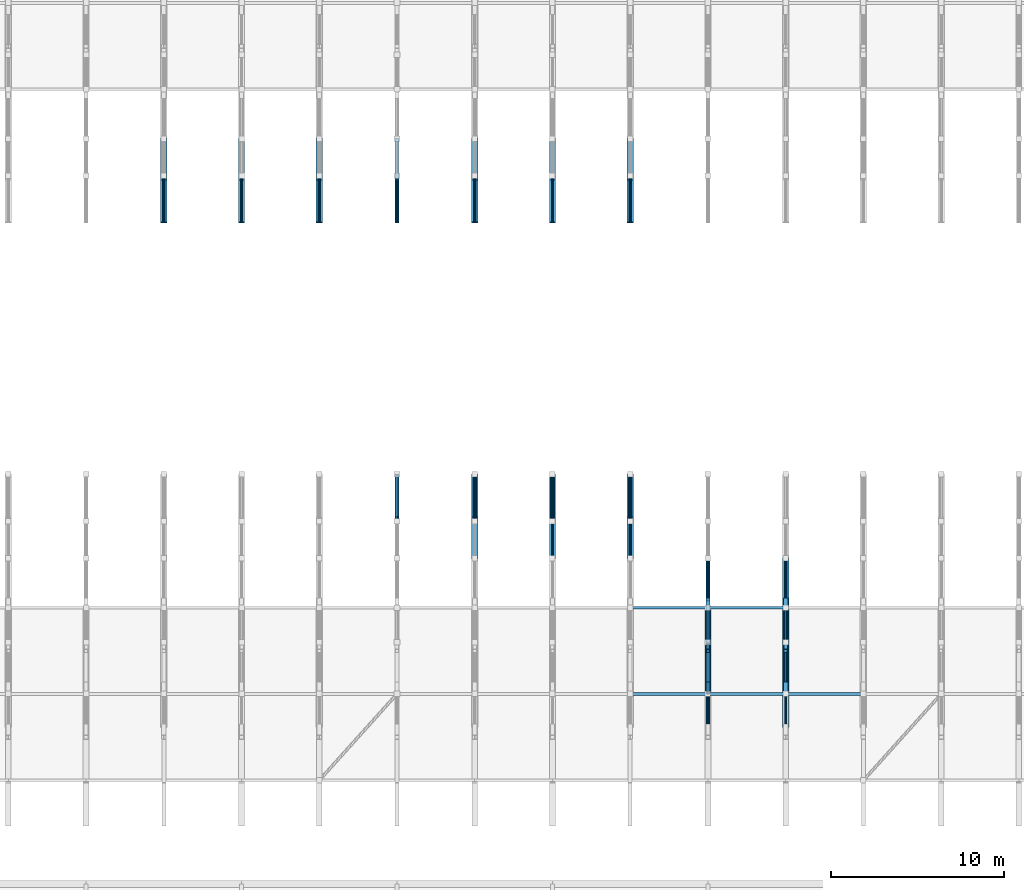
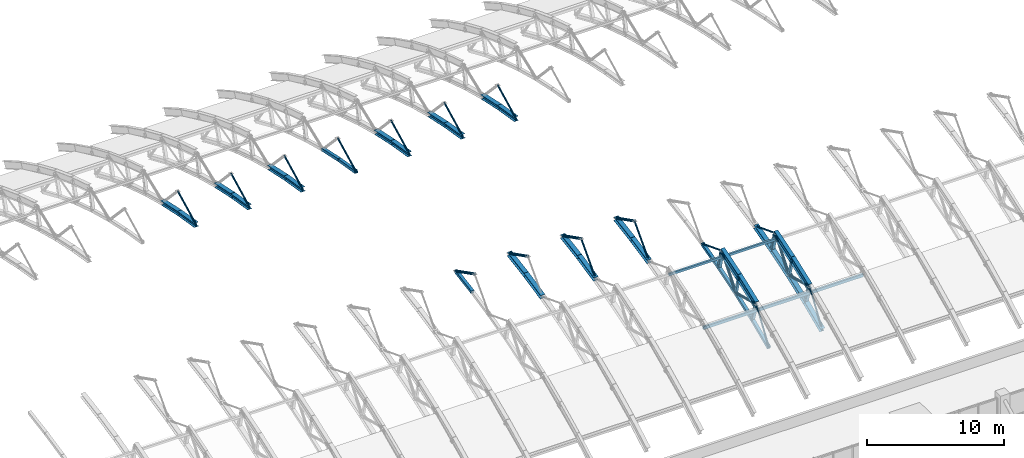
# One storey, part 41 of 103: 61 members, 4 beams.
"""IFC4 building model written with IfcOpenShell, lengths in metres."""

from ifc_helpers import new_model, si_unit, direction, frame, origin, origin_2d, place, context, subcontext, project, spatial, hollow_rectangle, hollow_circle, i_section, extrude, material, material_profile, profile_set, type_object, element, save


model = new_model("IFC4")

# Units and contexts
model_context = context("Model", 3, precision=1e-05, world=origin(), true_north=direction((0.0, 1.0)))
body_context = subcontext(model_context, "Body", "Model", "MODEL_VIEW")
ifc_project = project(units=[si_unit("LENGTHUNIT", "METRE"), si_unit("AREAUNIT", "SQUARE_METRE"), si_unit("VOLUMEUNIT", "CUBIC_METRE"), si_unit("PLANEANGLEUNIT", "RADIAN"), si_unit("MASSUNIT", "GRAM", prefix="KILO")], contexts=[model_context])

# Site, building, storey
site_placement = place(None, origin())
site = spatial("IfcSite", under=ifc_project, at=site_placement, CompositionType="ELEMENT")
building_placement = place(site_placement, origin())
building = spatial("IfcBuilding", under=site, at=building_placement, Name="Cazmaro Siding Exhibition Halls", CompositionType="ELEMENT")
storey_placement = place(building_placement, frame((0.0, 0.0, 16.5)))
storey = spatial("IfcBuildingStorey", under=building, at=storey_placement, Name="L03", CompositionType="ELEMENT", Elevation=16.5)

# Beams
ifc_material_1 = material(Name="Steel ASTM A992 Grade 50", Category="steel")
ifc_material_profile_1 = material_profile(ifc_material_1, i_section(OverallWidth=0.327880859375, OverallDepth=0.626953125, WebThickness=0.01708984375, FlangeThickness=0.028076171875, at=origin_2d()), Name="W24X146")
ifc_profile_set_1 = profile_set([ifc_material_profile_1], Name="Steel ASTM A992 Grade 50")
beam_type_1 = type_object("IfcBeamType", Name="AR-01", PredefinedType="USERDEFINED", material=ifc_profile_set_1)
beam_1_placement = place(storey_placement, frame((99.0, 74.0, 3.1220703125), z_axis=(0.0, 0.936509460339, 0.350642311615), x_axis=(-1.0, 0.0, 0.0)))
element("IfcBeam", 1, at=beam_1_placement, inside=storey, type_object=beam_type_1, Name="Space frame barrel vault arched rib AR-01 BM-0827", ObjectType="ARCHED RIB", PredefinedType="USERDEFINED", context=body_context, shape_type="SweptSolid", body=[
    extrude(i_section(OverallWidth=0.327880859375, OverallDepth=0.626953125, WebThickness=0.01708984375, FlangeThickness=0.028076171875, at=origin_2d()), origin(), (0.0, 0.0, 1.0), 2.66943359375),
])
beam_2_placement = place(storey_placement, frame((99.0, 76.5, 4.05810546875), z_axis=(0.0, 0.952769241759, 0.303695195811), x_axis=(-1.0, 0.0, 0.0)))
element("IfcBeam", 2, at=beam_2_placement, inside=storey, type_object=beam_type_1, Name="Space frame barrel vault arched rib AR-01 BM-0828", ObjectType="ARCHED RIB", PredefinedType="USERDEFINED", context=body_context, shape_type="SweptSolid", body=[
    extrude(i_section(OverallWidth=0.327880859375, OverallDepth=0.626953125, WebThickness=0.01708984375, FlangeThickness=0.028076171875, at=origin_2d()), origin(), (0.0, 0.0, 1.0), 2.6240234375),
])
ifc_material_2 = material(Name="Steel ASTM A992 Grade 50", Category="steel")
ifc_material_profile_2 = material_profile(ifc_material_2, i_section(OverallWidth=0.324951171875, OverallDepth=0.612060546875, WebThickness=0.012939453125, FlangeThickness=0.01904296875, at=origin_2d()), Name="W24X104")
ifc_profile_set_2 = profile_set([ifc_material_profile_2], Name="Steel ASTM A992 Grade 50")
beam_type_2 = type_object("IfcBeamType", Name="AR-02", PredefinedType="USERDEFINED", material=ifc_profile_set_2)
beam_3_placement = place(storey_placement, frame((103.5, 74.0, 3.1220703125), z_axis=(0.0, 0.936509460339, 0.350642311615), x_axis=(-1.0, 0.0, 0.0)))
element("IfcBeam", 3, at=beam_3_placement, inside=storey, type_object=beam_type_2, Name="Space frame barrel vault arched rib AR-02 BM-0851", ObjectType="ARCHED RIB", PredefinedType="USERDEFINED", context=body_context, shape_type="SweptSolid", body=[
    extrude(i_section(OverallWidth=0.324951171875, OverallDepth=0.612060546875, WebThickness=0.012939453125, FlangeThickness=0.01904296875, at=origin_2d()), origin(), (0.0, 0.0, 1.0), 2.66943359375),
])
beam_4_placement = place(storey_placement, frame((103.5, 76.5, 4.05810546875), z_axis=(0.0, 0.952769241759, 0.303695195811), x_axis=(-1.0, 0.0, 0.0)))
element("IfcBeam", 4, at=beam_4_placement, inside=storey, type_object=beam_type_2, Name="Space frame barrel vault arched rib AR-02 BM-0852", ObjectType="ARCHED RIB", PredefinedType="USERDEFINED", context=body_context, shape_type="SweptSolid", body=[
    extrude(i_section(OverallWidth=0.324951171875, OverallDepth=0.612060546875, WebThickness=0.012939453125, FlangeThickness=0.01904296875, at=origin_2d()), origin(), (0.0, 0.0, 1.0), 2.6240234375),
])

# Members
ifc_material_3 = material(Name="Steel ASTM A500 Grade C", Category="steel")
ifc_material_profile_3 = material_profile(ifc_material_3, hollow_rectangle(XDim=0.152099609375, YDim=0.202880859375, WallThickness=0.011962890625, at=origin_2d()), Name="HSS8X6X1/2")
ifc_profile_set_3 = profile_set([ifc_material_profile_3], Name="Steel ASTM A500 Grade C")
member_type_1 = type_object("IfcMemberType", Name="RP-01", PredefinedType="PURLIN", material=ifc_profile_set_3)
for number, where, z_axis, x_axis, name in (
    (5, (94.5, 79.0, 4.31494140625), (1.0, 0.0, 0.0), (0.0, 1.0, 0.0), "Space frame barrel vault purlin RP-01 MEM-2099"),
    (6, (99.0, 79.0, 4.31494140625), (1.0, 0.0, 0.0), (0.0, 1.0, 0.0), "Space frame barrel vault purlin RP-01 MEM-2110"),
):
    element("IfcMember", number, at=place(storey_placement, frame(where, z_axis=z_axis, x_axis=x_axis)), inside=storey, type_object=member_type_1, Name=name, PredefinedType="PURLIN", context=body_context, shape_type="SweptSolid", body=[
        extrude(hollow_rectangle(XDim=0.152099609375, YDim=0.202880859375, WallThickness=0.011962890625, at=origin_2d()), origin(), (0.0, 0.0, 1.0), 4.5),
    ])
ifc_material_4 = material(Name="Steel ASTM A500 Grade C", Category="steel")
ifc_material_profile_4 = material_profile(ifc_material_4, hollow_rectangle(XDim=0.152099609375, YDim=0.25390625, WallThickness=0.011962890625, at=origin_2d()), Name="HSS10X6X1/2")
ifc_profile_set_4 = profile_set([ifc_material_profile_4], Name="Steel ASTM A500 Grade C")
member_type_2 = type_object("IfcMemberType", Name="RP-04", PredefinedType="PURLIN", material=ifc_profile_set_4)
for number, where, z_axis, x_axis, name in (
    (7, (94.5, 74.0, 2.58203125), (1.0, 0.0, 0.0), (0.0, 1.0, 0.0), "Space frame barrel vault purlin RP-04 MEM-2098"),
    (8, (99.0, 74.0, 2.58203125), (1.0, 0.0, 0.0), (0.0, 1.0, 0.0), "Space frame barrel vault purlin RP-04 MEM-2109"),
    (9, (103.5, 74.0, 2.58203125), (1.0, 0.0, 0.0), (0.0, 1.0, 0.0), "Space frame barrel vault purlin RP-04 MEM-2120"),
):
    element("IfcMember", number, at=place(storey_placement, frame(where, z_axis=z_axis, x_axis=x_axis)), inside=storey, type_object=member_type_2, Name=name, PredefinedType="PURLIN", context=body_context, shape_type="SweptSolid", body=[
        extrude(hollow_rectangle(XDim=0.152099609375, YDim=0.25390625, WallThickness=0.011962890625, at=origin_2d()), origin(), (0.0, 0.0, 1.0), 4.5),
    ])
ifc_material_5 = material(Name="Steel ASTM A500 Grade C", Category="steel")
ifc_material_profile_5 = material_profile(ifc_material_5, hollow_rectangle(XDim=0.25390625, YDim=0.25390625, WallThickness=0.014892578125, at=origin_2d()), Name="HSS10X10X5/8")
ifc_profile_set_5 = profile_set([ifc_material_profile_5], Name="Steel ASTM A500 Grade C")
member_type_3 = type_object("IfcMemberType", Name="TC-01", PredefinedType="CHORD", material=ifc_profile_set_5)
for number, where, z_axis, x_axis, name in (
    (10, (81.0, 84.280029296875, 4.282958984375), (0.0, 0.986455464336, 0.164029317138), (-1.0, 0.0, 0.0), "Space frame barrel vault bottom chord TC-01 MEM-0537"),
    (11, (81.0, 101.2900390625, 4.68701171875), (0.0, 0.986455464336, -0.164029317138), (-1.0, 0.0, 0.0), "Space frame barrel vault bottom chord TC-01 MEM-0551"),
):
    element("IfcMember", number, at=place(storey_placement, frame(where, z_axis=z_axis, x_axis=x_axis)), inside=storey, type_object=member_type_3, Name=name, PredefinedType="CHORD", context=body_context, shape_type="SweptSolid", body=[
        extrude(hollow_rectangle(XDim=0.25390625, YDim=0.25390625, WallThickness=0.014892578125, at=origin_2d()), origin(), (0.0, 0.0, 1.0), 2.46337890625),
    ])
member_1_placement = place(storey_placement, frame((81.0, 103.719970703125, 4.282958984375), z_axis=(0.0, 0.977697351532, -0.210018782033), x_axis=(-1.0, 0.0, 0.0)))
element("IfcMember", 12, at=member_1_placement, inside=storey, type_object=member_type_3, Name="Space frame barrel vault bottom chord TC-01 MEM-0553", PredefinedType="CHORD", context=body_context, shape_type="SweptSolid", body=[
    extrude(hollow_rectangle(XDim=0.25390625, YDim=0.25390625, WallThickness=0.014892578125, at=origin_2d()), origin(), (0.0, 0.0, 1.0), 2.4853515625),
])
member_2_placement = place(storey_placement, frame((99.0, 72.131103515625, 0.37890625), z_axis=(0.0, 0.917689003843, 0.397299499403), x_axis=(-1.0, 0.0, 0.0)))
element("IfcMember", 13, at=member_2_placement, inside=storey, type_object=member_type_3, Name="Space frame barrel vault bottom chord TC-01 MEM-0811", PredefinedType="CHORD", context=body_context, shape_type="SweptSolid", body=[
    extrude(hollow_rectangle(XDim=0.25390625, YDim=0.25390625, WallThickness=0.014892578125, at=origin_2d()), origin(), (0.0, 0.0, 1.0), 2.64794921875),
])
member_3_placement = place(storey_placement, frame((99.0, 74.56103515625, 1.430908203125), z_axis=(0.0, 0.936588022869, 0.350432412053), x_axis=(-1.0, 0.0, 0.0)))
element("IfcMember", 14, at=member_3_placement, inside=storey, type_object=member_type_3, Name="Space frame barrel vault bottom chord TC-01 MEM-0813", PredefinedType="CHORD", context=body_context, shape_type="SweptSolid", body=[
    extrude(hollow_rectangle(XDim=0.25390625, YDim=0.25390625, WallThickness=0.014892578125, at=origin_2d()), origin(), (0.0, 0.0, 1.0), 2.594482421875),
])
member_4_placement = place(storey_placement, frame((99.0, 76.990966796875, 2.340087890625), z_axis=(0.0, 0.952692842525, 0.303934775573), x_axis=(-1.0, 0.0, 0.0)))
element("IfcMember", 15, at=member_4_placement, inside=storey, type_object=member_type_3, Name="Space frame barrel vault bottom chord TC-01 MEM-0815", PredefinedType="CHORD", context=body_context, shape_type="SweptSolid", body=[
    extrude(hollow_rectangle(XDim=0.25390625, YDim=0.25390625, WallThickness=0.014892578125, at=origin_2d()), origin(), (0.0, 0.0, 1.0), 2.549560546875),
])
member_5_placement = place(storey_placement, frame((99.0, 79.419921875, 3.114990234375), z_axis=(0.0, 0.966437683387, 0.256901156343), x_axis=(-1.0, 0.0, 0.0)))
element("IfcMember", 16, at=member_5_placement, inside=storey, type_object=member_type_3, Name="Space frame barrel vault bottom chord TC-01 MEM-0817", PredefinedType="CHORD", context=body_context, shape_type="SweptSolid", body=[
    extrude(hollow_rectangle(XDim=0.25390625, YDim=0.25390625, WallThickness=0.014892578125, at=origin_2d()), origin(), (0.0, 0.0, 1.0), 2.5146484375),
])
ifc_material_6 = material(Name="Steel ASTM A992 Grade 50", Category="steel")
ifc_material_profile_6 = material_profile(ifc_material_6, i_section(OverallWidth=0.37109375, OverallDepth=0.364013671875, WebThickness=0.012939453125, FlangeThickness=0.02197265625, at=origin_2d()), Name="W14X109")
ifc_profile_set_6 = profile_set([ifc_material_profile_6], Name="Steel ASTM A992 Grade 50")
member_type_4 = type_object("IfcMemberType", Name="TC-06", PredefinedType="CHORD", material=ifc_profile_set_6)
member_6_placement = place(storey_placement, frame((67.5, 101.2900390625, 4.68701171875), z_axis=(0.0, 0.986455464336, -0.164029317138), x_axis=(-1.0, 0.0, 0.0)))
element("IfcMember", 17, at=member_6_placement, inside=storey, type_object=member_type_4, Name="Space frame barrel vault bottom chord TC-06 MEM-0338", PredefinedType="CHORD", context=body_context, shape_type="SweptSolid", body=[
    extrude(i_section(OverallWidth=0.37109375, OverallDepth=0.364013671875, WebThickness=0.012939453125, FlangeThickness=0.02197265625, at=origin_2d()), origin(), (0.0, 0.0, 1.0), 2.46337890625),
])
member_7_placement = place(storey_placement, frame((67.5, 103.719970703125, 4.282958984375), z_axis=(0.0, 0.977697351532, -0.210018782033), x_axis=(-1.0, 0.0, 0.0)))
element("IfcMember", 18, at=member_7_placement, inside=storey, type_object=member_type_4, Name="Space frame barrel vault bottom chord TC-06 MEM-0340", PredefinedType="CHORD", context=body_context, shape_type="SweptSolid", body=[
    extrude(i_section(OverallWidth=0.37109375, OverallDepth=0.364013671875, WebThickness=0.012939453125, FlangeThickness=0.02197265625, at=origin_2d()), origin(), (0.0, 0.0, 1.0), 2.4853515625),
])
member_8_placement = place(storey_placement, frame((72.0, 101.2900390625, 4.68701171875), z_axis=(0.0, 0.986455464336, -0.164029317138), x_axis=(-1.0, 0.0, 0.0)))
element("IfcMember", 19, at=member_8_placement, inside=storey, type_object=member_type_4, Name="Space frame barrel vault bottom chord TC-06 MEM-0409", PredefinedType="CHORD", context=body_context, shape_type="SweptSolid", body=[
    extrude(i_section(OverallWidth=0.37109375, OverallDepth=0.364013671875, WebThickness=0.012939453125, FlangeThickness=0.02197265625, at=origin_2d()), origin(), (0.0, 0.0, 1.0), 2.46337890625),
])
member_9_placement = place(storey_placement, frame((72.0, 103.719970703125, 4.282958984375), z_axis=(0.0, 0.977697351532, -0.210018782033), x_axis=(-1.0, 0.0, 0.0)))
element("IfcMember", 20, at=member_9_placement, inside=storey, type_object=member_type_4, Name="Space frame barrel vault bottom chord TC-06 MEM-0411", PredefinedType="CHORD", context=body_context, shape_type="SweptSolid", body=[
    extrude(i_section(OverallWidth=0.37109375, OverallDepth=0.364013671875, WebThickness=0.012939453125, FlangeThickness=0.02197265625, at=origin_2d()), origin(), (0.0, 0.0, 1.0), 2.4853515625),
])
member_10_placement = place(storey_placement, frame((76.5, 101.2900390625, 4.68701171875), z_axis=(0.0, 0.986455464336, -0.164029317138), x_axis=(-1.0, 0.0, 0.0)))
element("IfcMember", 21, at=member_10_placement, inside=storey, type_object=member_type_4, Name="Space frame barrel vault bottom chord TC-06 MEM-0480", PredefinedType="CHORD", context=body_context, shape_type="SweptSolid", body=[
    extrude(i_section(OverallWidth=0.37109375, OverallDepth=0.364013671875, WebThickness=0.012939453125, FlangeThickness=0.02197265625, at=origin_2d()), origin(), (0.0, 0.0, 1.0), 2.46337890625),
])
for number, where, z_axis, x_axis, name in (
    (22, (76.5, 103.719970703125, 4.282958984375), (0.0, 0.977697351532, -0.210018782033), (-1.0, 0.0, 0.0), "Space frame barrel vault bottom chord TC-06 MEM-0482"),
    (23, (85.5, 81.85009765625, 3.760986328125), (0.0, 0.977697351532, 0.210018782033), (-1.0, 0.0, 0.0), "Space frame barrel vault bottom chord TC-06 MEM-0606"),
):
    element("IfcMember", number, at=place(storey_placement, frame(where, z_axis=z_axis, x_axis=x_axis)), inside=storey, type_object=member_type_4, Name=name, PredefinedType="CHORD", context=body_context, shape_type="SweptSolid", body=[
        extrude(i_section(OverallWidth=0.37109375, OverallDepth=0.364013671875, WebThickness=0.012939453125, FlangeThickness=0.02197265625, at=origin_2d()), origin(), (0.0, 0.0, 1.0), 2.4853515625),
    ])
for number, where, z_axis, x_axis, name in (
    (24, (85.5, 84.280029296875, 4.282958984375), (0.0, 0.986455464336, 0.164029317138), (-1.0, 0.0, 0.0), "Space frame barrel vault bottom chord TC-06 MEM-0608"),
    (25, (85.5, 101.2900390625, 4.68701171875), (0.0, 0.986455464336, -0.164029317138), (-1.0, 0.0, 0.0), "Space frame barrel vault bottom chord TC-06 MEM-0622"),
):
    element("IfcMember", number, at=place(storey_placement, frame(where, z_axis=z_axis, x_axis=x_axis)), inside=storey, type_object=member_type_4, Name=name, PredefinedType="CHORD", context=body_context, shape_type="SweptSolid", body=[
        extrude(i_section(OverallWidth=0.37109375, OverallDepth=0.364013671875, WebThickness=0.012939453125, FlangeThickness=0.02197265625, at=origin_2d()), origin(), (0.0, 0.0, 1.0), 2.46337890625),
    ])
for number, where, z_axis, x_axis, name in (
    (26, (85.5, 103.719970703125, 4.282958984375), (0.0, 0.977697351532, -0.210018782033), (-1.0, 0.0, 0.0), "Space frame barrel vault bottom chord TC-06 MEM-0624"),
    (27, (90.0, 81.85009765625, 3.760986328125), (0.0, 0.977697351532, 0.210018782033), (-1.0, 0.0, 0.0), "Space frame barrel vault bottom chord TC-06 MEM-0677"),
):
    element("IfcMember", number, at=place(storey_placement, frame(where, z_axis=z_axis, x_axis=x_axis)), inside=storey, type_object=member_type_4, Name=name, PredefinedType="CHORD", context=body_context, shape_type="SweptSolid", body=[
        extrude(i_section(OverallWidth=0.37109375, OverallDepth=0.364013671875, WebThickness=0.012939453125, FlangeThickness=0.02197265625, at=origin_2d()), origin(), (0.0, 0.0, 1.0), 2.4853515625),
    ])
for number, where, z_axis, x_axis, name in (
    (28, (90.0, 84.280029296875, 4.282958984375), (0.0, 0.986455464336, 0.164029317138), (-1.0, 0.0, 0.0), "Space frame barrel vault bottom chord TC-06 MEM-0679"),
    (29, (90.0, 101.2900390625, 4.68701171875), (0.0, 0.986455464336, -0.164029317138), (-1.0, 0.0, 0.0), "Space frame barrel vault bottom chord TC-06 MEM-0693"),
):
    element("IfcMember", number, at=place(storey_placement, frame(where, z_axis=z_axis, x_axis=x_axis)), inside=storey, type_object=member_type_4, Name=name, PredefinedType="CHORD", context=body_context, shape_type="SweptSolid", body=[
        extrude(i_section(OverallWidth=0.37109375, OverallDepth=0.364013671875, WebThickness=0.012939453125, FlangeThickness=0.02197265625, at=origin_2d()), origin(), (0.0, 0.0, 1.0), 2.46337890625),
    ])
for number, where, z_axis, x_axis, name in (
    (30, (90.0, 103.719970703125, 4.282958984375), (0.0, 0.977697351532, -0.210018782033), (-1.0, 0.0, 0.0), "Space frame barrel vault bottom chord TC-06 MEM-0695"),
    (31, (94.5, 81.85009765625, 3.760986328125), (0.0, 0.977697351532, 0.210018782033), (-1.0, 0.0, 0.0), "Space frame barrel vault bottom chord TC-06 MEM-0748"),
):
    element("IfcMember", number, at=place(storey_placement, frame(where, z_axis=z_axis, x_axis=x_axis)), inside=storey, type_object=member_type_4, Name=name, PredefinedType="CHORD", context=body_context, shape_type="SweptSolid", body=[
        extrude(i_section(OverallWidth=0.37109375, OverallDepth=0.364013671875, WebThickness=0.012939453125, FlangeThickness=0.02197265625, at=origin_2d()), origin(), (0.0, 0.0, 1.0), 2.4853515625),
    ])
for number, where, z_axis, x_axis, name in (
    (32, (94.5, 84.280029296875, 4.282958984375), (0.0, 0.986455464336, 0.164029317138), (-1.0, 0.0, 0.0), "Space frame barrel vault bottom chord TC-06 MEM-0750"),
    (33, (94.5, 101.2900390625, 4.68701171875), (0.0, 0.986455464336, -0.164029317138), (-1.0, 0.0, 0.0), "Space frame barrel vault bottom chord TC-06 MEM-0764"),
):
    element("IfcMember", number, at=place(storey_placement, frame(where, z_axis=z_axis, x_axis=x_axis)), inside=storey, type_object=member_type_4, Name=name, PredefinedType="CHORD", context=body_context, shape_type="SweptSolid", body=[
        extrude(i_section(OverallWidth=0.37109375, OverallDepth=0.364013671875, WebThickness=0.012939453125, FlangeThickness=0.02197265625, at=origin_2d()), origin(), (0.0, 0.0, 1.0), 2.46337890625),
    ])
member_11_placement = place(storey_placement, frame((94.5, 103.719970703125, 4.282958984375), z_axis=(0.0, 0.977697351532, -0.210018782033), x_axis=(-1.0, 0.0, 0.0)))
element("IfcMember", 34, at=member_11_placement, inside=storey, type_object=member_type_4, Name="Space frame barrel vault bottom chord TC-06 MEM-0766", PredefinedType="CHORD", context=body_context, shape_type="SweptSolid", body=[
    extrude(i_section(OverallWidth=0.37109375, OverallDepth=0.364013671875, WebThickness=0.012939453125, FlangeThickness=0.02197265625, at=origin_2d()), origin(), (0.0, 0.0, 1.0), 2.4853515625),
])
member_12_placement = place(storey_placement, frame((103.5, 72.131103515625, 0.37890625), z_axis=(0.0, 0.917689003843, 0.397299499403), x_axis=(-1.0, 0.0, 0.0)))
element("IfcMember", 35, at=member_12_placement, inside=storey, type_object=member_type_4, Name="Space frame barrel vault bottom chord TC-06 MEM-0882", PredefinedType="CHORD", context=body_context, shape_type="SweptSolid", body=[
    extrude(i_section(OverallWidth=0.37109375, OverallDepth=0.364013671875, WebThickness=0.012939453125, FlangeThickness=0.02197265625, at=origin_2d()), origin(), (0.0, 0.0, 1.0), 2.64794921875),
])
member_13_placement = place(storey_placement, frame((103.5, 74.56103515625, 1.430908203125), z_axis=(0.0, 0.936588022869, 0.350432412053), x_axis=(-1.0, 0.0, 0.0)))
element("IfcMember", 36, at=member_13_placement, inside=storey, type_object=member_type_4, Name="Space frame barrel vault bottom chord TC-06 MEM-0884", PredefinedType="CHORD", context=body_context, shape_type="SweptSolid", body=[
    extrude(i_section(OverallWidth=0.37109375, OverallDepth=0.364013671875, WebThickness=0.012939453125, FlangeThickness=0.02197265625, at=origin_2d()), origin(), (0.0, 0.0, 1.0), 2.594482421875),
])
member_14_placement = place(storey_placement, frame((103.5, 76.990966796875, 2.340087890625), z_axis=(0.0, 0.952692842525, 0.303934775573), x_axis=(-1.0, 0.0, 0.0)))
element("IfcMember", 37, at=member_14_placement, inside=storey, type_object=member_type_4, Name="Space frame barrel vault bottom chord TC-06 MEM-0886", PredefinedType="CHORD", context=body_context, shape_type="SweptSolid", body=[
    extrude(i_section(OverallWidth=0.37109375, OverallDepth=0.364013671875, WebThickness=0.012939453125, FlangeThickness=0.02197265625, at=origin_2d()), origin(), (0.0, 0.0, 1.0), 2.549560546875),
])
member_15_placement = place(storey_placement, frame((103.5, 79.419921875, 3.114990234375), z_axis=(0.0, 0.966437683387, 0.256901156343), x_axis=(-1.0, 0.0, 0.0)))
element("IfcMember", 38, at=member_15_placement, inside=storey, type_object=member_type_4, Name="Space frame barrel vault bottom chord TC-06 MEM-0888", PredefinedType="CHORD", context=body_context, shape_type="SweptSolid", body=[
    extrude(i_section(OverallWidth=0.37109375, OverallDepth=0.364013671875, WebThickness=0.012939453125, FlangeThickness=0.02197265625, at=origin_2d()), origin(), (0.0, 0.0, 1.0), 2.5146484375),
])
ifc_material_7 = material(Name="Steel ASTM A500 Grade C", Category="steel")
ifc_material_profile_7 = material_profile(ifc_material_7, hollow_rectangle(XDim=0.202880859375, YDim=0.202880859375, WallThickness=0.011962890625, at=origin_2d()), Name="HSS8X8X1/2")
ifc_profile_set_7 = profile_set([ifc_material_profile_7], Name="Steel ASTM A500 Grade C")
member_type_5 = type_object("IfcMemberType", Name="TP-01", PredefinedType="POST", material=ifc_profile_set_7)
for number, where, z_axis, x_axis, name in (
    (39, (99.0, 76.990966796875, 2.340087890625), (0.0, -0.274775266308, 0.961508477875), (1.0, 0.0, 0.0), "Space frame barrel vault post TP-01 MEM-0857"),
    (40, (103.5, 76.990966796875, 2.340087890625), (0.0, -0.274775266308, 0.961508477875), (1.0, 0.0, 0.0), "Space frame barrel vault post TP-01 MEM-0928"),
):
    element("IfcMember", number, at=place(storey_placement, frame(where, z_axis=z_axis, x_axis=x_axis)), inside=storey, type_object=member_type_5, Name=name, PredefinedType="POST", context=body_context, shape_type="SweptSolid", body=[
        extrude(hollow_rectangle(XDim=0.202880859375, YDim=0.202880859375, WallThickness=0.011962890625, at=origin_2d()), origin(), (0.0, 0.0, 1.0), 1.786865234375),
    ])
ifc_material_8 = material(Name="Steel ASTM A992 Grade 50", Category="steel")
ifc_material_profile_8 = material_profile(ifc_material_8, i_section(OverallWidth=0.25390625, OverallDepth=0.25390625, WebThickness=0.009033203125, FlangeThickness=0.013916015625, at=origin_2d()), Name="W10X49")
ifc_profile_set_8 = profile_set([ifc_material_profile_8], Name="Steel ASTM A992 Grade 50")
member_type_6 = type_object("IfcMemberType", Name="TP-04", PredefinedType="POST", material=ifc_profile_set_8)
member_16_placement = place(storey_placement, frame((99.0, 74.56103515625, 1.430908203125), z_axis=(0.0, -0.314870949103, 0.949134492794), x_axis=(1.0, 0.0, 0.0)))
element("IfcMember", 41, at=member_16_placement, inside=storey, type_object=member_type_6, Name="Space frame barrel vault post TP-04 MEM-0856", PredefinedType="POST", context=body_context, shape_type="SweptSolid", body=[
    extrude(i_section(OverallWidth=0.25390625, OverallDepth=0.25390625, WebThickness=0.009033203125, FlangeThickness=0.013916015625, at=origin_2d()), origin(), (0.0, 0.0, 1.0), 1.78173828125),
])
member_17_placement = place(storey_placement, frame((99.0, 79.419921875, 3.114990234375), z_axis=(0.0, -0.234600533729, 0.972091862724), x_axis=(1.0, 0.0, 0.0)))
element("IfcMember", 42, at=member_17_placement, inside=storey, type_object=member_type_6, Name="Space frame barrel vault post TP-04 MEM-0858", PredefinedType="POST", context=body_context, shape_type="SweptSolid", body=[
    extrude(i_section(OverallWidth=0.25390625, OverallDepth=0.25390625, WebThickness=0.009033203125, FlangeThickness=0.013916015625, at=origin_2d()), origin(), (0.0, 0.0, 1.0), 1.7900390625),
])
member_18_placement = place(storey_placement, frame((103.5, 74.56103515625, 1.430908203125), z_axis=(0.0, -0.314870949103, 0.949134492794), x_axis=(1.0, 0.0, 0.0)))
element("IfcMember", 43, at=member_18_placement, inside=storey, type_object=member_type_6, Name="Space frame barrel vault post TP-04 MEM-0927", PredefinedType="POST", context=body_context, shape_type="SweptSolid", body=[
    extrude(i_section(OverallWidth=0.25390625, OverallDepth=0.25390625, WebThickness=0.009033203125, FlangeThickness=0.013916015625, at=origin_2d()), origin(), (0.0, 0.0, 1.0), 1.78173828125),
])
member_19_placement = place(storey_placement, frame((103.5, 79.419921875, 3.114990234375), z_axis=(0.0, -0.234600533729, 0.972091862724), x_axis=(1.0, 0.0, 0.0)))
element("IfcMember", 44, at=member_19_placement, inside=storey, type_object=member_type_6, Name="Space frame barrel vault post TP-04 MEM-0929", PredefinedType="POST", context=body_context, shape_type="SweptSolid", body=[
    extrude(i_section(OverallWidth=0.25390625, OverallDepth=0.25390625, WebThickness=0.009033203125, FlangeThickness=0.013916015625, at=origin_2d()), origin(), (0.0, 0.0, 1.0), 1.7900390625),
])
ifc_material_9 = material(Name="Steel ASTM A500 Grade C", Category="steel")
ifc_material_profile_9 = material_profile(ifc_material_9, hollow_circle(Radius=0.109619140625, WallThickness=0.012939453125, at=origin_2d()), Name="PIPE8XS")
ifc_profile_set_9 = profile_set([ifc_material_profile_9], Name="Steel ASTM A500 Grade C")
member_type_7 = type_object("IfcMemberType", Name="WB-01", PredefinedType="BRACE", material=ifc_profile_set_9)
for number, where, z_axis, x_axis, name in (
    (45, (81.0, 84.0, 6.056884765625), (0.0, 0.892456788218, -0.451132886369), (-1.0, 0.0, 0.0), "Space frame barrel vault diagonal WB-01 MEM-0538"),
    (46, (85.5, 84.0, 6.056884765625), (0.0, 0.892456788218, -0.451132886369), (-1.0, 0.0, 0.0), "Space frame barrel vault diagonal WB-01 MEM-0609"),
    (47, (90.0, 84.0, 6.056884765625), (0.0, 0.892456788218, -0.451132886369), (-1.0, 0.0, 0.0), "Space frame barrel vault diagonal WB-01 MEM-0680"),
    (48, (94.5, 84.0, 6.056884765625), (0.0, 0.892456788218, -0.451132886369), (-1.0, 0.0, 0.0), "Space frame barrel vault diagonal WB-01 MEM-0751"),
):
    element("IfcMember", number, at=place(storey_placement, frame(where, z_axis=z_axis, x_axis=x_axis)), inside=storey, type_object=member_type_7, Name=name, PredefinedType="BRACE", context=body_context, shape_type="SweptSolid", body=[
        extrude(hollow_circle(Radius=0.109619140625, WallThickness=0.012939453125, at=origin_2d()), origin(), (0.0, 0.0, 1.0), 3.03662109375),
    ])
member_20_placement = place(storey_placement, frame((99.0, 74.0, 3.1220703125), z_axis=(0.0, 0.967480432857, -0.252945867802), x_axis=(-1.0, 0.0, 0.0)))
element("IfcMember", 49, at=member_20_placement, inside=storey, type_object=member_type_7, Name="Space frame barrel vault diagonal WB-01 MEM-0814", PredefinedType="BRACE", context=body_context, shape_type="SweptSolid", body=[
    extrude(hollow_circle(Radius=0.109619140625, WallThickness=0.012939453125, at=origin_2d()), origin(), (0.0, 0.0, 1.0), 3.091552734375),
])
member_21_placement = place(storey_placement, frame((99.0, 76.990966796875, 2.340087890625), z_axis=(0.0, 0.624149162907, 0.781305204412), x_axis=(-1.0, 0.0, 0.0)))
element("IfcMember", 50, at=member_21_placement, inside=storey, type_object=member_type_7, Name="Space frame barrel vault diagonal WB-01 MEM-0816", PredefinedType="BRACE", context=body_context, shape_type="SweptSolid", body=[
    extrude(hollow_circle(Radius=0.109619140625, WallThickness=0.012939453125, at=origin_2d()), origin(), (0.0, 0.0, 1.0), 3.21875),
])
member_22_placement = place(storey_placement, frame((103.5, 74.0, 3.1220703125), z_axis=(0.0, 0.967480432857, -0.252945867802), x_axis=(-1.0, 0.0, 0.0)))
element("IfcMember", 51, at=member_22_placement, inside=storey, type_object=member_type_7, Name="Space frame barrel vault diagonal WB-01 MEM-0885", PredefinedType="BRACE", context=body_context, shape_type="SweptSolid", body=[
    extrude(hollow_circle(Radius=0.109619140625, WallThickness=0.012939453125, at=origin_2d()), origin(), (0.0, 0.0, 1.0), 3.091552734375),
])
member_23_placement = place(storey_placement, frame((103.5, 76.990966796875, 2.340087890625), z_axis=(0.0, 0.624149162907, 0.781305204412), x_axis=(-1.0, 0.0, 0.0)))
element("IfcMember", 52, at=member_23_placement, inside=storey, type_object=member_type_7, Name="Space frame barrel vault diagonal WB-01 MEM-0887", PredefinedType="BRACE", context=body_context, shape_type="SweptSolid", body=[
    extrude(hollow_circle(Radius=0.109619140625, WallThickness=0.012939453125, at=origin_2d()), origin(), (0.0, 0.0, 1.0), 3.21875),
])
ifc_material_10 = material(Name="Steel ASTM A500 Grade C", Category="steel")
ifc_material_profile_10 = material_profile(ifc_material_10, hollow_circle(Radius=0.070556640625, WallThickness=0.01904296875, at=origin_2d()), Name="PIPE5XXS")
ifc_profile_set_10 = profile_set([ifc_material_profile_10], Name="Steel ASTM A500 Grade C")
member_type_8 = type_object("IfcMemberType", Name="WB-07", PredefinedType="BRACE", material=ifc_profile_set_10)
for number, where, z_axis, x_axis, name in (
    (53, (67.5, 101.2900390625, 4.68701171875), (0.0, 0.892456788218, 0.451132886369), (-1.0, 0.0, 0.0), "Space frame barrel vault diagonal WB-07 MEM-0339"),
    (54, (72.0, 101.2900390625, 4.68701171875), (0.0, 0.892456788218, 0.451132886369), (-1.0, 0.0, 0.0), "Space frame barrel vault diagonal WB-07 MEM-0410"),
    (55, (76.5, 101.2900390625, 4.68701171875), (0.0, 0.892456788218, 0.451132886369), (-1.0, 0.0, 0.0), "Space frame barrel vault diagonal WB-07 MEM-0481"),
    (56, (81.0, 101.2900390625, 4.68701171875), (0.0, 0.892456788218, 0.451132886369), (-1.0, 0.0, 0.0), "Space frame barrel vault diagonal WB-07 MEM-0552"),
    (57, (85.5, 101.2900390625, 4.68701171875), (0.0, 0.892456788218, 0.451132886369), (-1.0, 0.0, 0.0), "Space frame barrel vault diagonal WB-07 MEM-0623"),
):
    element("IfcMember", number, at=place(storey_placement, frame(where, z_axis=z_axis, x_axis=x_axis)), inside=storey, type_object=member_type_8, Name=name, PredefinedType="BRACE", context=body_context, shape_type="SweptSolid", body=[
        extrude(hollow_circle(Radius=0.070556640625, WallThickness=0.01904296875, at=origin_2d()), origin(), (0.0, 0.0, 1.0), 3.03662109375),
    ])
member_24_placement = place(storey_placement, frame((90.0, 81.85009765625, 3.760986328125), z_axis=(0.0, 0.683517575744, 0.729934054315), x_axis=(-1.0, 0.0, 0.0)))
element("IfcMember", 58, at=member_24_placement, inside=storey, type_object=member_type_8, Name="Space frame barrel vault diagonal WB-07 MEM-0678", PredefinedType="BRACE", context=body_context, shape_type="SweptSolid", body=[
    extrude(hollow_circle(Radius=0.070556640625, WallThickness=0.01904296875, at=origin_2d()), origin(), (0.0, 0.0, 1.0), 3.145263671875),
])
member_25_placement = place(storey_placement, frame((90.0, 101.2900390625, 4.68701171875), z_axis=(0.0, 0.892456788218, 0.451132886369), x_axis=(-1.0, 0.0, 0.0)))
element("IfcMember", 59, at=member_25_placement, inside=storey, type_object=member_type_8, Name="Space frame barrel vault diagonal WB-07 MEM-0694", PredefinedType="BRACE", context=body_context, shape_type="SweptSolid", body=[
    extrude(hollow_circle(Radius=0.070556640625, WallThickness=0.01904296875, at=origin_2d()), origin(), (0.0, 0.0, 1.0), 3.03662109375),
])
member_26_placement = place(storey_placement, frame((94.5, 81.85009765625, 3.760986328125), z_axis=(0.0, 0.683517575744, 0.729934054315), x_axis=(-1.0, 0.0, 0.0)))
element("IfcMember", 60, at=member_26_placement, inside=storey, type_object=member_type_8, Name="Space frame barrel vault diagonal WB-07 MEM-0749", PredefinedType="BRACE", context=body_context, shape_type="SweptSolid", body=[
    extrude(hollow_circle(Radius=0.070556640625, WallThickness=0.01904296875, at=origin_2d()), origin(), (0.0, 0.0, 1.0), 3.145263671875),
])
member_27_placement = place(storey_placement, frame((94.5, 101.2900390625, 4.68701171875), z_axis=(0.0, 0.892456788218, 0.451132886369), x_axis=(-1.0, 0.0, 0.0)))
element("IfcMember", 61, at=member_27_placement, inside=storey, type_object=member_type_8, Name="Space frame barrel vault diagonal WB-07 MEM-0765", PredefinedType="BRACE", context=body_context, shape_type="SweptSolid", body=[
    extrude(hollow_circle(Radius=0.070556640625, WallThickness=0.01904296875, at=origin_2d()), origin(), (0.0, 0.0, 1.0), 3.03662109375),
])
member_28_placement = place(storey_placement, frame((99.0, 72.131103515625, 0.37890625), z_axis=(0.0, 0.563040090795, 0.826429583302), x_axis=(-1.0, 0.0, 0.0)))
element("IfcMember", 62, at=member_28_placement, inside=storey, type_object=member_type_8, Name="Space frame barrel vault diagonal WB-07 MEM-0812", PredefinedType="BRACE", context=body_context, shape_type="SweptSolid", body=[
    extrude(hollow_circle(Radius=0.070556640625, WallThickness=0.01904296875, at=origin_2d()), origin(), (0.0, 0.0, 1.0), 3.3193359375),
])
member_29_placement = place(storey_placement, frame((99.0, 79.0, 4.85498046875), z_axis=(0.0, 0.933586546586, -0.358352005761), x_axis=(-1.0, 0.0, 0.0)))
element("IfcMember", 63, at=member_29_placement, inside=storey, type_object=member_type_8, Name="Space frame barrel vault diagonal WB-07 MEM-0818", PredefinedType="BRACE", context=body_context, shape_type="SweptSolid", body=[
    extrude(hollow_circle(Radius=0.070556640625, WallThickness=0.01904296875, at=origin_2d()), origin(), (0.0, 0.0, 1.0), 3.052734375),
])
member_30_placement = place(storey_placement, frame((103.5, 72.131103515625, 0.37890625), z_axis=(0.0, 0.563040090795, 0.826429583302), x_axis=(-1.0, 0.0, 0.0)))
element("IfcMember", 64, at=member_30_placement, inside=storey, type_object=member_type_8, Name="Space frame barrel vault diagonal WB-07 MEM-0883", PredefinedType="BRACE", context=body_context, shape_type="SweptSolid", body=[
    extrude(hollow_circle(Radius=0.070556640625, WallThickness=0.01904296875, at=origin_2d()), origin(), (0.0, 0.0, 1.0), 3.3193359375),
])
member_31_placement = place(storey_placement, frame((103.5, 79.0, 4.85498046875), z_axis=(0.0, 0.933586546586, -0.358352005761), x_axis=(-1.0, 0.0, 0.0)))
element("IfcMember", 65, at=member_31_placement, inside=storey, type_object=member_type_8, Name="Space frame barrel vault diagonal WB-07 MEM-0889", PredefinedType="BRACE", context=body_context, shape_type="SweptSolid", body=[
    extrude(hollow_circle(Radius=0.070556640625, WallThickness=0.01904296875, at=origin_2d()), origin(), (0.0, 0.0, 1.0), 3.052734375),
])

save(model, "model.ifc")
